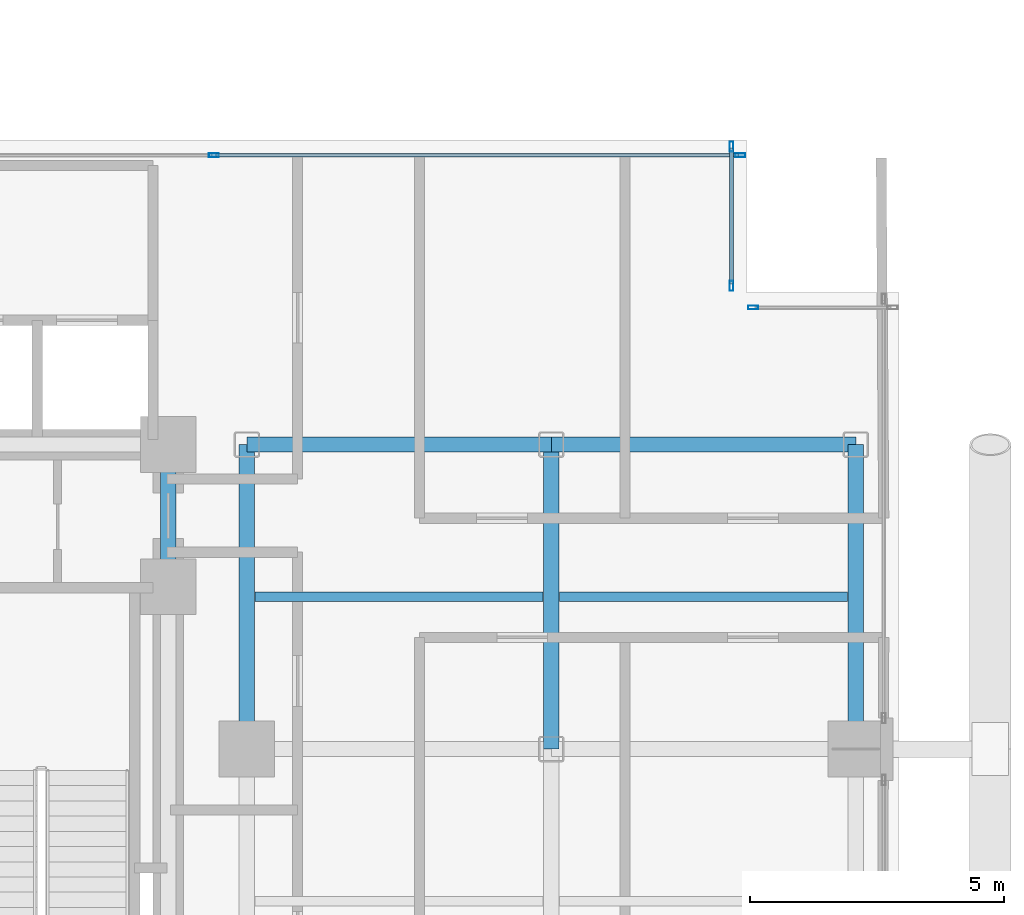
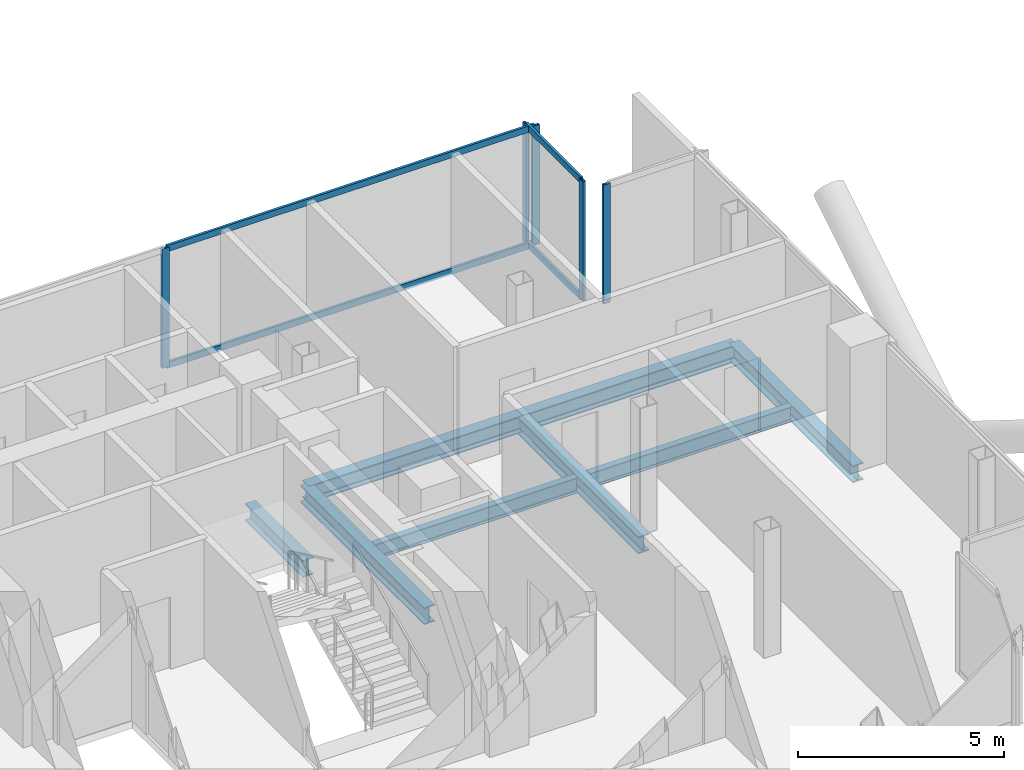
# One storey, part 13 of 28: 9 members, 8 beams, 3 elements without a shape of their own.
"""IFC4 building model written with IfcOpenShell, lengths in metres."""

import ifcopenshell
import ifcopenshell.guid

model = None  # the IFC model being written
_history = None  # IfcOwnerHistory: only IFC2X3 demands one
_inside = {}  # id of a spatial element -> (the spatial element, [elements in it])
_under = {}  # id of a project, library or spatial element -> (it, [spatial elements below it])
_declared = {}  # id of a project -> (the project, [libraries it declares])
_typed = {}  # id of a type object -> (the type object, [elements of that type])
_made_of = {}  # id of a material, layer set ... -> (it, [elements and type objects made of it])


def new_model(schema):
    """Start an empty IFC model of exactly this schema.

    Asked for "IFC4X3", IfcOpenShell would pick the latest addendum, in which some entities
    have other attributes; the version numbers below select the first issue.
    IFC2X3 requires an IfcOwnerHistory on every rooted entity: one is made here for all.
    """
    global model, _history
    if schema == "IFC4X3":
        model = ifcopenshell.file(schema_version=(4, 3, 0, 0))
    else:
        model = ifcopenshell.file(schema=schema)
    _inside.clear()
    _under.clear()
    _declared.clear()
    _typed.clear()
    _made_of.clear()
    _history = None
    if model.schema == "IFC2X3":
        org = make("IfcOrganization", Name="unknown")
        user = make(
            "IfcPersonAndOrganization",
            ThePerson=make("IfcPerson", FamilyName="unknown"),
            TheOrganization=org,
        )
        app = make(
            "IfcApplication",
            ApplicationDeveloper=org,
            Version="unknown",
            ApplicationFullName="unknown",
            ApplicationIdentifier="unknown",
        )
        _history = make(
            "IfcOwnerHistory",
            OwningUser=user,
            OwningApplication=app,
            ChangeAction="ADDED",
            CreationDate=0,
        )
    return model


def make(cls, **values):
    """One entity of the class cls with the attributes given. An attribute that is None is left unset."""
    return model.create_entity(
        cls, **{name: value for name, value in values.items() if value is not None}
    )


def rooted(cls, **values):
    """An entity with a GlobalId (a new one), such as an element, a storey or a relation."""
    return make(cls, GlobalId=ifcopenshell.guid.new(), OwnerHistory=_history, **values)


def si_unit(unit_type, name, prefix=None):
    """IfcSIUnit, for example si_unit("LENGTHUNIT", "METRE", prefix="MILLI")."""
    return make("IfcSIUnit", UnitType=unit_type, Prefix=prefix, Name=name)


def assignment(units):
    """IfcUnitAssignment: the units of a project."""
    return None if units is None else make("IfcUnitAssignment", Units=units)


def point(xyz):
    """IfcCartesianPoint."""
    return None if xyz is None else make("IfcCartesianPoint", Coordinates=xyz)


def direction(xyz):
    """IfcDirection."""
    return None if xyz is None else make("IfcDirection", DirectionRatios=xyz)


def frame(location, z_axis=None, x_axis=None):
    """IfcAxis2Placement3D, a coordinate frame: its origin and axes. An axis left out is left unset."""
    return make(
        "IfcAxis2Placement3D",
        Location=point(location),
        Axis=direction(z_axis),
        RefDirection=direction(x_axis),
    )


def frame_2d(location, x_axis=None):
    """IfcAxis2Placement2D, a coordinate frame in the plane: its origin and x axis."""
    return make(
        "IfcAxis2Placement2D", Location=point(location), RefDirection=direction(x_axis)
    )


def origin():
    """The frame at (0, 0, 0) with its axes left unset."""
    return frame((0.0, 0.0, 0.0))


def origin_2d():
    """The frame at (0, 0) in the plane with its x axis left unset."""
    return frame_2d((0.0, 0.0))


def place(relative_to, where):
    """IfcLocalPlacement: puts the frame where relative to a parent placement (None: the world)."""
    return make(
        "IfcLocalPlacement", PlacementRelTo=relative_to, RelativePlacement=where
    )


def context(
    kind, dimensions, precision=None, world=None, true_north=None, identifier=None
):
    """IfcGeometricRepresentationContext, for example the 3D "Model" context."""
    return make(
        "IfcGeometricRepresentationContext",
        ContextIdentifier=identifier,
        ContextType=kind,
        CoordinateSpaceDimension=dimensions,
        Precision=precision,
        WorldCoordinateSystem=world,
        TrueNorth=true_north,
    )


def subcontext(parent, identifier, kind, view, scale=None):
    """IfcGeometricRepresentationSubContext, for example "Body" below "Model"."""
    return make(
        "IfcGeometricRepresentationSubContext",
        ContextIdentifier=identifier,
        ContextType=kind,
        ParentContext=parent,
        TargetScale=scale,
        TargetView=view,
    )


def project(units=None, contexts=None):
    """IfcProject with its units and contexts."""
    return rooted(
        "IfcProject",
        Name="project",
        RepresentationContexts=contexts,
        UnitsInContext=assignment(units),
    )


def spatial(cls, under=None, at=None, **own):
    """A site, building, storey or space (cls), placed at a placement, below another one or the project."""
    s = rooted(cls, ObjectPlacement=at, **own)
    if under is not None:
        _under.setdefault(under.id(), (under, []))[1].append(s)
    return s


def profile(cls, at=None, kind="AREA", **sizes):
    """A parametric profile (cls). Its sizes go by their IFC names, for example OverallWidth=200.0."""
    return make(cls, ProfileType=kind, Position=at, **sizes)


def hollow_rectangle(**sizes):
    """IfcRectangleHollowProfileDef."""
    return profile("IfcRectangleHollowProfileDef", **sizes)


def i_section(**sizes):
    """IfcIShapeProfileDef."""
    return profile("IfcIShapeProfileDef", **sizes)


def extrude(swept, where, along, depth):
    """IfcExtrudedAreaSolid: the profile swept, set in the frame where, extruded along a direction by depth."""
    return make(
        "IfcExtrudedAreaSolid",
        SweptArea=swept,
        Position=where,
        ExtrudedDirection=direction(along),
        Depth=depth,
    )


def shape(context_of_items, identifier, shape_type, items):
    """IfcShapeRepresentation: the items that make up one representation, for example the "Body"."""
    return make(
        "IfcShapeRepresentation",
        ContextOfItems=context_of_items,
        RepresentationIdentifier=identifier,
        RepresentationType=shape_type,
        Items=items,
    )


def material(Name=None, Category=None):
    """IfcMaterial."""
    return make("IfcMaterial", Name=Name, Category=Category)


def layer(
    of_material, thickness, ventilated=None, Name=None, Category=None, Priority=None
):
    """IfcMaterialLayer: one layer of a wall or slab, of a material (None: an air gap)."""
    return make(
        "IfcMaterialLayer",
        Material=of_material,
        LayerThickness=thickness,
        IsVentilated=ventilated,
        Name=Name,
        Category=Category,
        Priority=Priority,
    )


def layer_set(layers, Name=None):
    """IfcMaterialLayerSet."""
    return make("IfcMaterialLayerSet", MaterialLayers=layers, LayerSetName=Name)


def material_profile(
    of_material, cross_section, Name=None, Category=None, Priority=None
):
    """IfcMaterialProfile: a cross section and its material."""
    return make(
        "IfcMaterialProfile",
        Name=Name,
        Material=of_material,
        Profile=cross_section,
        Priority=Priority,
        Category=Category,
    )


def profile_set(profiles, Name=None, composite=None):
    """IfcMaterialProfileSet."""
    return make(
        "IfcMaterialProfileSet",
        Name=Name,
        MaterialProfiles=profiles,
        CompositeProfile=composite,
    )


def made_of(thing, what):
    """Note that an element or type object is made of a material, layer set ...; save() writes the relation."""
    if what is not None:
        _made_of.setdefault(what.id(), (what, []))[1].append(thing)
    return thing


def type_object(cls, material=None, **own):
    """A type object (cls), such as IfcWallType, which elements share."""
    return made_of(rooted(cls, **own), material)


def element(
    cls,
    number,
    at=None,
    inside=None,
    cuts=None,
    type_object=None,
    material=None,
    context=None,
    identifier="Body",
    shape_type=None,
    held_by="IfcProductDefinitionShape",
    body=None,
    shapes=None,
    **own,
):
    """One element of the class cls, such as IfcWall. Its Tag is "e" and its number.

    at: its placement. inside: the storey or other place that contains it. cuts: it is an
    opening in that element (IfcRelVoidsElement). A single representation is given by context,
    identifier, shape_type and body (its items); several are given by shapes. held_by: the class
    of the entity that holds the representations. save() writes the other relations.
    """
    e = rooted(cls, Tag="e%d" % number, ObjectPlacement=at, **own)
    if body is not None:
        shapes = [shape(context, identifier, shape_type, body)]
    if shapes is not None:
        e.Representation = make(held_by, Representations=shapes)
    if inside is not None:
        _inside.setdefault(inside.id(), (inside, []))[1].append(e)
    if cuts is not None:
        rooted(
            "IfcRelVoidsElement", RelatingBuildingElement=cuts, RelatedOpeningElement=e
        )
    if type_object is not None:
        _typed.setdefault(type_object.id(), (type_object, []))[1].append(e)
    return made_of(e, material)


def aggregate(whole, parts):
    """IfcRelAggregates: a whole, such as a stair, and the parts it consists of."""
    return rooted("IfcRelAggregates", RelatingObject=whole, RelatedObjects=parts)


def save(model, path):
    """Write the relations noted so far, then the file.

    IfcRelAggregates (storeys below a building ...), IfcRelContainedInSpatialStructure (elements
    in a storey), IfcRelDefinesByType, IfcRelAssociatesMaterial and IfcRelDeclares: one each for
    every whole, place, type object, material and project.
    """
    for whole, parts in _under.values():
        aggregate(whole, parts)
    for where, things in _inside.values():
        rooted(
            "IfcRelContainedInSpatialStructure",
            RelatedElements=things,
            RelatingStructure=where,
        )
    for kind, things in _typed.values():
        rooted("IfcRelDefinesByType", RelatedObjects=things, RelatingType=kind)
    for what, things in _made_of.values():
        rooted("IfcRelAssociatesMaterial", RelatedObjects=things, RelatingMaterial=what)
    for by, libraries in _declared.values():
        rooted("IfcRelDeclares", RelatingContext=by, RelatedDefinitions=libraries)
    model.write(path)


model = new_model("IFC4")

# Units and contexts
model_context = context("Model", 3, precision=1e-05, world=origin(), true_north=direction((0.0, 1.0)))
body_context = subcontext(model_context, "Body", "Model", "MODEL_VIEW")
ifc_project = project(units=[si_unit("LENGTHUNIT", "METRE"), si_unit("AREAUNIT", "SQUARE_METRE"), si_unit("VOLUMEUNIT", "CUBIC_METRE"), si_unit("PLANEANGLEUNIT", "RADIAN"), si_unit("MASSUNIT", "GRAM", prefix="KILO"), si_unit("THERMODYNAMICTEMPERATUREUNIT", "KELVIN"), si_unit("POWERUNIT", "WATT")], contexts=[model_context])

# Site, building, storey
site_placement = place(None, origin())
site = spatial("IfcSite", under=ifc_project, at=site_placement, CompositionType="ELEMENT")
building_placement = place(site_placement, origin())
building = spatial("IfcBuilding", under=site, at=building_placement, Name="Svarakhadi Broadcast Tower", CompositionType="ELEMENT")
storey_placement = place(building_placement, frame((0.0, 0.0, 123.14990234375)))
storey = spatial("IfcBuildingStorey", under=building, at=storey_placement, Name="L29", CompositionType="ELEMENT", Elevation=123.14990234375)

# Beams
ifc_material_1 = material(Name="Steel S355J2 (IS 2062 E350C)", Category="steel")
ifc_material_profile_1 = material_profile(ifc_material_1, i_section(OverallWidth=0.18994140625, OverallDepth=0.449951171875, WebThickness=0.009521484375, FlangeThickness=0.0146484375, FilletRadius=0.02099609375, at=origin_2d()), Name="NPB 450x190x78")
ifc_profile_set_1 = profile_set([ifc_material_profile_1], Name="Steel S355J2 (IS 2062 E350C)")
beam_type_1 = type_object("IfcBeamType", Name="Beam_NPB450", PredefinedType="BEAM", material=ifc_profile_set_1)
for number, where, z_axis, x_axis, name in (
    (1, (35.31005859375, 15.0, -0.449951171875), (1.0, 0.0, 0.0), (0.0, 1.0, 0.0), "L29 Secondary Composite Beam SB021"),
    (2, (41.31005859375, 15.0, -0.449951171875), (1.0, 0.0, 0.0), (0.0, 1.0, 0.0), "L29 Secondary Composite Beam SB023"),
):
    element("IfcBeam", number, at=place(storey_placement, frame(where, z_axis=z_axis, x_axis=x_axis)), inside=storey, type_object=beam_type_1, Name=name, PredefinedType="BEAM", context=body_context, shape_type="SweptSolid", body=[
        extrude(i_section(OverallWidth=0.18994140625, OverallDepth=0.449951171875, WebThickness=0.009521484375, FlangeThickness=0.0146484375, FilletRadius=0.02099609375, at=origin_2d()), origin(), (0.0, 0.0, 1.0), 5.679931640625),
    ])

# Curtain wall, members
ifc_material_2 = material(Name="Anodised Bronze Aluminium AA 6063-T6", Category="aluminium")
ifc_layer = layer(ifc_material_2, 0.199951171875)
ifc_layer_set = layer_set([ifc_layer], Name="Anodised Bronze Aluminium AA 6063-T6")
curtain_wall_type = type_object("IfcCurtainWallType", Name="CW_Sys_03", PredefinedType="NOTDEFINED", material=ifc_layer_set)
curtain_wall_1_placement = place(storey_placement, origin())
curtain_wall_1 = element("IfcCurtainWall", 3, at=curtain_wall_1_placement, inside=storey, type_object=curtain_wall_type, Name="L29 Unitised Facade Curtain Wall 10", PredefinedType="NOTDEFINED")
ifc_material_profile_2 = material_profile(ifc_material_2, hollow_rectangle(XDim=0.074951171875, YDim=0.199951171875, WallThickness=0.005615234375, at=origin_2d()), Name="ALU MULLION 200x75x6")
ifc_profile_set_2 = profile_set([ifc_material_profile_2], Name="Anodised Bronze Aluminium AA 6063-T6")
member_type_1 = type_object("IfcMemberType", Name="CW_Sys_03_Mul", PredefinedType="MULLION", material=ifc_profile_set_2)
member_1_placement = place(storey_placement, frame((34.5, 23.699951171875, 0.0), z_axis=(0.0, 0.0, 1.0), x_axis=(0.0, 1.0, 0.0)))
member_1 = element("IfcMember", 4, at=member_1_placement, type_object=member_type_1, Name="CW-03 mullion 2", PredefinedType="MULLION", context=body_context, shape_type="SweptSolid", body=[
    extrude(hollow_rectangle(XDim=0.074951171875, YDim=0.199951171875, WallThickness=0.005615234375, at=origin_2d()), origin(), (0.0, 0.0, 1.0), 3.525146484375),
])
member_2_placement = place(storey_placement, frame((44.87255859375, 23.699951171875, 0.0), z_axis=(0.0, 0.0, 1.0), x_axis=(0.0, 1.0, 0.0)))
member_2 = element("IfcMember", 5, at=member_2_placement, type_object=member_type_1, Name="CW-03 mullion 3", PredefinedType="MULLION", context=body_context, shape_type="SweptSolid", body=[
    extrude(hollow_rectangle(XDim=0.074951171875, YDim=0.199951171875, WallThickness=0.005615234375, at=origin_2d()), origin(), (0.0, 0.0, 1.0), 3.525146484375),
])

curtain_wall_2_placement = place(storey_placement, origin())
curtain_wall_2 = element("IfcCurtainWall", 6, at=curtain_wall_2_placement, inside=storey, type_object=curtain_wall_type, Name="L29 Unitised Facade Curtain Wall 11", PredefinedType="NOTDEFINED")
member_3_placement = place(storey_placement, frame((44.699951171875, 23.87255859375, 0.0), z_axis=(0.0, 0.0, 1.0), x_axis=(1.0, 0.0, 0.0)))
member_3 = element("IfcMember", 7, at=member_3_placement, type_object=member_type_1, Name="CW-03 mullion 1", PredefinedType="MULLION", context=body_context, shape_type="SweptSolid", body=[
    extrude(hollow_rectangle(XDim=0.074951171875, YDim=0.199951171875, WallThickness=0.005615234375, at=origin_2d()), origin(), (0.0, 0.0, 1.0), 3.525146484375),
])
member_4_placement = place(storey_placement, frame((44.699951171875, 21.12744140625, 0.0), z_axis=(0.0, 0.0, 1.0), x_axis=(1.0, 0.0, 0.0)))
member_4 = element("IfcMember", 8, at=member_4_placement, type_object=member_type_1, Name="CW-03 mullion 2", PredefinedType="MULLION", context=body_context, shape_type="SweptSolid", body=[
    extrude(hollow_rectangle(XDim=0.074951171875, YDim=0.199951171875, WallThickness=0.005615234375, at=origin_2d()), origin(), (0.0, 0.0, 1.0), 3.525146484375),
])

# Curtain wall, member
curtain_wall_3_placement = place(storey_placement, origin())
curtain_wall_3 = element("IfcCurtainWall", 9, at=curtain_wall_3_placement, inside=storey, type_object=curtain_wall_type, Name="L29 Unitised Facade Curtain Wall 12", PredefinedType="NOTDEFINED")
member_5_placement = place(storey_placement, frame((45.12744140625, 20.699951171875, 0.0), z_axis=(0.0, 0.0, 1.0), x_axis=(0.0, 1.0, 0.0)))
member_5 = element("IfcMember", 10, at=member_5_placement, type_object=member_type_1, Name="CW-03 mullion 1", PredefinedType="MULLION", context=body_context, shape_type="SweptSolid", body=[
    extrude(hollow_rectangle(XDim=0.074951171875, YDim=0.199951171875, WallThickness=0.005615234375, at=origin_2d()), origin(), (0.0, 0.0, 1.0), 3.525146484375),
])
aggregate(curtain_wall_3, [member_5])

# Member
ifc_material_profile_3 = material_profile(ifc_material_2, hollow_rectangle(XDim=0.070068359375, YDim=0.18505859375, WallThickness=0.0048828125, at=origin_2d()), Name="ALU TRANSOM 185x70x5")
ifc_profile_set_3 = profile_set([ifc_material_profile_3], Name="Anodised Bronze Aluminium AA 6063-T6")
member_type_2 = type_object("IfcMemberType", Name="CW_Sys_03_Trn", PredefinedType="USERDEFINED", material=ifc_profile_set_3)
member_6_placement = place(storey_placement, frame((34.53759765625, 23.699951171875, 0.03515625), z_axis=(1.0, 0.0, 0.0), x_axis=(0.0, 1.0, 0.0)))
member_6 = element("IfcMember", 11, at=member_6_placement, type_object=member_type_2, Name="CW-03 transom 2.1", ObjectType="TRANSOM", PredefinedType="USERDEFINED", context=body_context, shape_type="SweptSolid", body=[
    extrude(hollow_rectangle(XDim=0.070068359375, YDim=0.18505859375, WallThickness=0.0048828125, at=origin_2d()), origin(), (0.0, 0.0, 1.0), 10.29736328125),
])

member_7_placement = place(storey_placement, frame((34.53759765625, 23.699951171875, 3.489990234375), z_axis=(1.0, 0.0, 0.0), x_axis=(0.0, 1.0, 0.0)))
member_7 = element("IfcMember", 12, at=member_7_placement, type_object=member_type_2, Name="CW-03 transom 2.2", ObjectType="TRANSOM", PredefinedType="USERDEFINED", context=body_context, shape_type="SweptSolid", body=[
    extrude(hollow_rectangle(XDim=0.070068359375, YDim=0.18505859375, WallThickness=0.0048828125, at=origin_2d()), origin(), (0.0, 0.0, 1.0), 10.29736328125),
])

aggregate(curtain_wall_1, [member_1, member_2, member_6, member_7])

member_8_placement = place(storey_placement, frame((44.699951171875, 23.8349609375, 0.03515625), z_axis=(0.0, -1.0, 0.0), x_axis=(1.0, 0.0, 0.0)))
member_8 = element("IfcMember", 13, at=member_8_placement, type_object=member_type_2, Name="CW-03 transom 1.1", ObjectType="TRANSOM", PredefinedType="USERDEFINED", context=body_context, shape_type="SweptSolid", body=[
    extrude(hollow_rectangle(XDim=0.070068359375, YDim=0.18505859375, WallThickness=0.0048828125, at=origin_2d()), origin(), (0.0, 0.0, 1.0), 2.669921875),
])

member_9_placement = place(storey_placement, frame((44.699951171875, 23.8349609375, 3.489990234375), z_axis=(0.0, -1.0, 0.0), x_axis=(1.0, 0.0, 0.0)))
member_9 = element("IfcMember", 14, at=member_9_placement, type_object=member_type_2, Name="CW-03 transom 1.2", ObjectType="TRANSOM", PredefinedType="USERDEFINED", context=body_context, shape_type="SweptSolid", body=[
    extrude(hollow_rectangle(XDim=0.070068359375, YDim=0.18505859375, WallThickness=0.0048828125, at=origin_2d()), origin(), (0.0, 0.0, 1.0), 2.669921875),
])

aggregate(curtain_wall_2, [member_3, member_4, member_8, member_9])

# Beams
ifc_material_profile_4 = material_profile(ifc_material_1, i_section(OverallWidth=0.300048828125, OverallDepth=0.5, WebThickness=0.014404296875, FlangeThickness=0.028076171875, FilletRadius=0.027099609375, at=origin_2d()), Name="WPB 500x300x187")
ifc_profile_set_4 = profile_set([ifc_material_profile_4], Name="Steel S355J2 (IS 2062 E350C)")
beam_type_2 = type_object("IfcBeamType", Name="Girder_WPB500", PredefinedType="USERDEFINED", material=ifc_profile_set_4)
for number, where, z_axis, x_axis, name in (
    (15, (35.14990234375, 18.0, -0.474853515625), (1.0, 0.0, 0.0), (0.0, 1.0, 0.0), "L29 Primary E-W Girder G028"),
    (16, (41.14990234375, 18.0, -0.474853515625), (1.0, 0.0, 0.0), (0.0, 1.0, 0.0), "L29 Primary E-W Girder G029"),
):
    element("IfcBeam", number, at=place(storey_placement, frame(where, z_axis=z_axis, x_axis=x_axis)), inside=storey, type_object=beam_type_2, Name=name, ObjectType="GIRDER", PredefinedType="USERDEFINED", context=body_context, shape_type="SweptSolid", body=[
        extrude(i_section(OverallWidth=0.300048828125, OverallDepth=0.5, WebThickness=0.014404296875, FlangeThickness=0.028076171875, FilletRadius=0.027099609375, at=origin_2d()), origin(), (0.0, 0.0, 1.0), 6.0),
    ])
beam_placement = place(storey_placement, frame((33.60009765625, 15.199951171875, -0.474853515625), z_axis=(0.0, 1.0, 0.0), x_axis=(-1.0, 0.0, 0.0)))
element("IfcBeam", 17, at=beam_placement, inside=storey, type_object=beam_type_2, Name="L29 Primary N-S Girder G066", ObjectType="GIRDER", PredefinedType="USERDEFINED", context=body_context, shape_type="SweptSolid", body=[
    extrude(i_section(OverallWidth=0.300048828125, OverallDepth=0.5, WebThickness=0.014404296875, FlangeThickness=0.028076171875, FilletRadius=0.027099609375, at=origin_2d()), origin(), (0.0, 0.0, 1.0), 2.800048828125),
])
for number, where, z_axis, x_axis, name in (
    (18, (35.14990234375, 12.0, -0.474853515625), (0.0, 1.0, 0.0), (-1.0, 0.0, 0.0), "L29 Primary N-S Girder G069"),
    (19, (41.14990234375, 12.0, -0.474853515625), (0.0, 1.0, 0.0), (-1.0, 0.0, 0.0), "L29 Primary N-S Girder G072"),
    (20, (47.14990234375, 12.0, -0.474853515625), (0.0, 1.0, 0.0), (-1.0, 0.0, 0.0), "L29 Primary N-S Girder G074"),
):
    element("IfcBeam", number, at=place(storey_placement, frame(where, z_axis=z_axis, x_axis=x_axis)), inside=storey, type_object=beam_type_2, Name=name, ObjectType="GIRDER", PredefinedType="USERDEFINED", context=body_context, shape_type="SweptSolid", body=[
        extrude(i_section(OverallWidth=0.300048828125, OverallDepth=0.5, WebThickness=0.014404296875, FlangeThickness=0.028076171875, FilletRadius=0.027099609375, at=origin_2d()), origin(), (0.0, 0.0, 1.0), 6.0),
    ])

save(model, "model.ifc")
